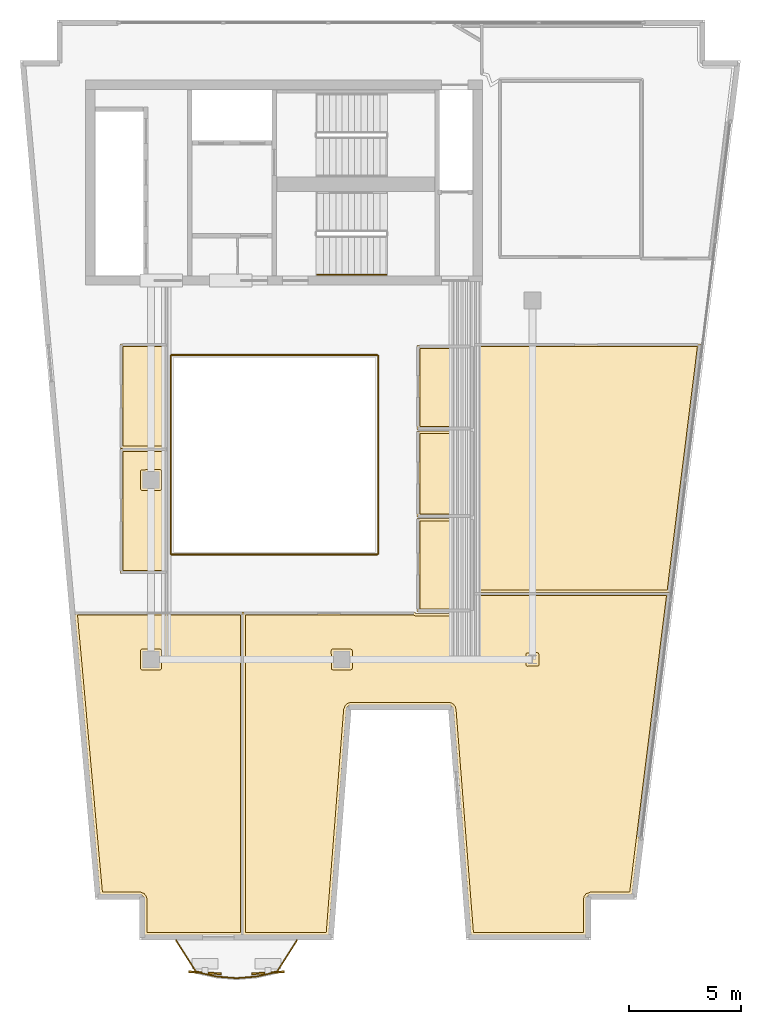
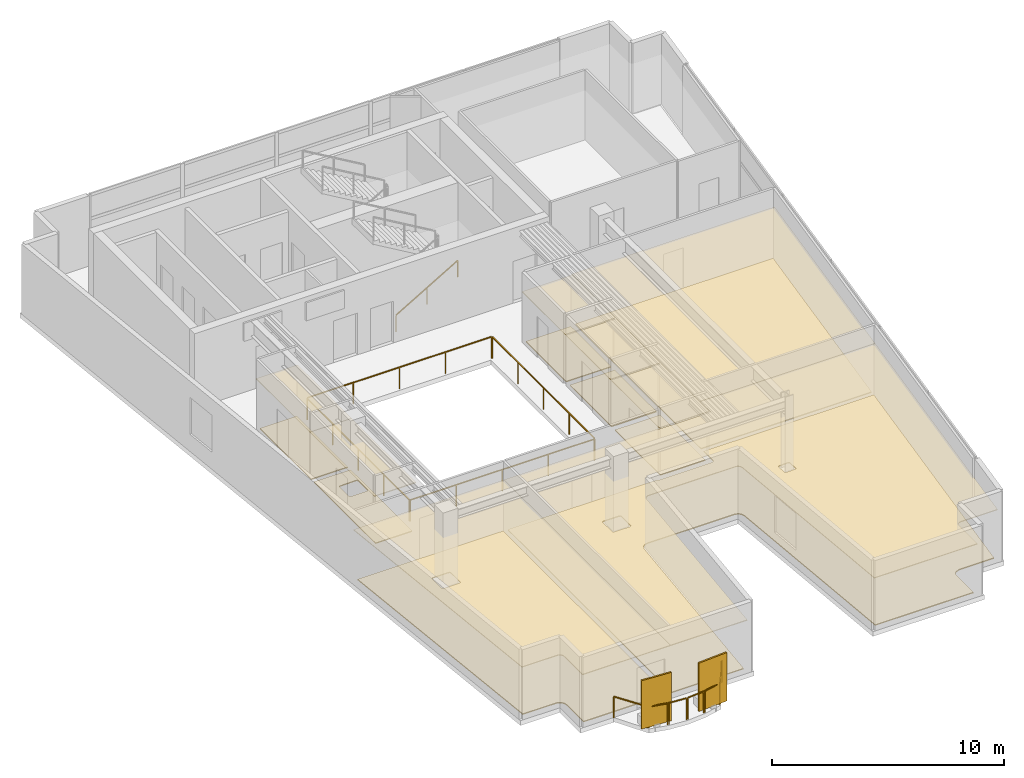
# One storey, part 6 of 7: 16 coverings, 11 railings, 2 shading devices.
"""IFC4 building model written with IfcOpenShell, lengths in metres."""

from ifc_helpers import new_model, si_unit, direction, frame, origin, origin_2d, place, context, subcontext, project, spatial, polyline, rectangle, outline, extrude, material, layer, layer_set, type_object, element, save


model = new_model("IFC4")

# Units and contexts
model_context = context("Model", 3, precision=1e-05, world=origin(), true_north=direction((0.0, 1.0)))
body_context = subcontext(model_context, "Body", "Model", "MODEL_VIEW")
ifc_project = project(units=[si_unit("LENGTHUNIT", "METRE"), si_unit("AREAUNIT", "SQUARE_METRE"), si_unit("VOLUMEUNIT", "CUBIC_METRE"), si_unit("PLANEANGLEUNIT", "RADIAN"), si_unit("MASSUNIT", "GRAM", prefix="KILO")], contexts=[model_context])

# Site, building, storey
site_placement = place(None, origin())
site = spatial("IfcSite", under=ifc_project, at=site_placement, CompositionType="ELEMENT")
building_placement = place(site_placement, origin())
building = spatial("IfcBuilding", under=site, at=building_placement, Name="Caeloran Harvest Quay", CompositionType="ELEMENT")
storey_placement = place(building_placement, frame((0.0, 0.0, 264.60009765625)))
storey = spatial("IfcBuildingStorey", under=building, at=storey_placement, Name="L63", CompositionType="ELEMENT", Elevation=264.60009765625)

# Coverings
ifc_material_1 = material(Name="Perforated Mineral-Fibre Acoustic Ceiling Tile", Category="ceiling")
ifc_layer_1 = layer(ifc_material_1, 0.0400390625, Name="Perforated Mineral-Fibre Acoustic Ceiling Tile")
ifc_layer_set_1 = layer_set([ifc_layer_1], Name="Perforated Mineral-Fibre Acoustic Ceiling Tile")
covering_type_1 = type_object("IfcCoveringType", Name="COV-CEILING-ACOUSTIC", PredefinedType="CEILING", material=ifc_layer_set_1)
covering_1_placement = place(storey_placement, frame((0.0, 0.0, 2.599853515625)))
element("IfcCovering", 1, at=covering_1_placement, inside=storey, type_object=covering_type_1, Name="L63 Male Washroom WC Acoustic Ceiling", PredefinedType="CEILING", context=body_context, shape_type="SweptSolid", body=[
    extrude(outline(polyline([(22.840087890625, 28.989990234375), (22.840087890625, 25.260009765625), (20.360107421875, 25.260009765625), (20.360107421875, 28.989990234375), (22.840087890625, 28.989990234375)])), origin(), (0.0, 0.0, 1.0), 0.0400390625),
])
covering_2_placement = place(storey_placement, frame((0.0, 0.0, 2.599853515625)))
element("IfcCovering", 2, at=covering_2_placement, inside=storey, type_object=covering_type_1, Name="L63 Female Washroom WC Acoustic Ceiling", PredefinedType="CEILING", context=body_context, shape_type="SweptSolid", body=[
    extrude(outline(polyline([(22.840087890625, 25.18994140625), (22.840087890625, 21.360107421875), (20.360107421875, 21.360107421875), (20.360107421875, 25.18994140625), (22.840087890625, 25.18994140625)])), origin(), (0.0, 0.0, 1.0), 0.0400390625),
])
covering_3_placement = place(storey_placement, frame((0.0, 0.0, 2.599853515625)))
element("IfcCovering", 3, at=covering_3_placement, inside=storey, type_object=covering_type_1, Name="L63 Accessible Unisex Washroom WC Acoustic Ceiling", PredefinedType="CEILING", context=body_context, shape_type="SweptSolid", body=[
    extrude(outline(polyline([(22.840087890625, 21.2900390625), (22.840087890625, 17.139892578125), (20.360107421875, 17.139892578125), (20.360107421875, 21.2900390625), (22.840087890625, 21.2900390625)])), origin(), (0.0, 0.0, 1.0), 0.0400390625),
])
covering_4_placement = place(storey_placement, frame((0.0, 0.0, 2.599853515625)))
element("IfcCovering", 4, at=covering_4_placement, inside=storey, type_object=covering_type_1, Name="Boutique Family-Office Chambers Acoustic Ceiling", PredefinedType="CEILING", context=body_context, shape_type="SweptSolid", body=[
    extrude(outline(polyline([(8.179443359375, 4.40380859375), (8.107666015625, 4.48291015625), (8.007080078125, 4.518798828125), (6.224853515625, 4.52001953125), (5.093017578125, 17.110107421875), (12.60009765625, 17.110107421875), (12.60009765625, 2.719970703125), (8.20556640625, 2.719970703125), (8.20556640625, 4.299072265625), (8.179443359375, 4.40380859375)])), origin(), (0.0, 0.0, 1.0), 0.0400390625),
])
covering_5_placement = place(storey_placement, frame((0.0, 0.0, 2.599853515625)))
element("IfcCovering", 5, at=covering_5_placement, inside=storey, type_object=covering_type_1, Name="Philanthropy Impact Office Acoustic Ceiling", PredefinedType="CEILING", context=body_context, shape_type="SweptSolid", body=[
    extrude(outline(polyline([(22.8701171875, 17.06005859375), (22.8701171875, 17.97998046875), (31.6103515625, 17.97998046875), (29.939453125, 4.52001953125), (28.111572265625, 4.52001953125), (28.046630859375, 4.510498046875), (27.970947265625, 4.469970703125), (27.9072265625, 4.38427734375), (27.890380859375, 4.299072265625), (27.890380859375, 2.719970703125), (22.75927734375, 2.719970703125), (21.97509765625, 12.76611328125), (21.951171875, 12.850830078125), (21.860595703125, 12.943359375), (21.754638671875, 12.969970703125), (17.402587890625, 12.968994140625), (17.339111328125, 12.95263671875), (17.267333984375, 12.90380859375), (17.219970703125, 12.830810546875), (17.205078125, 12.76611328125), (16.4208984375, 2.719970703125), (12.60009765625, 2.719970703125), (12.60009765625, 17.110107421875), (20.23828125, 17.110107421875), (20.2900390625, 17.0791015625), (20.2900390625, 17.06005859375), (22.8701171875, 17.06005859375)])), origin(), (0.0, 0.0, 1.0), 0.0400390625),
])
covering_6_placement = place(storey_placement, frame((0.0, 0.0, 2.599853515625)))
element("IfcCovering", 6, at=covering_6_placement, inside=storey, type_object=covering_type_1, Name="Quantitative Strategy Laboratory Acoustic Ceiling", PredefinedType="CEILING", context=body_context, shape_type="SweptSolid", body=[
    extrude(outline(polyline([(7.139892578125, 18.840087890625), (7.139892578125, 24.39990234375), (9.2099609375, 24.39990234375), (9.2099609375, 18.840087890625), (7.139892578125, 18.840087890625)])), origin(), (0.0, 0.0, 1.0), 0.0400390625),
])
covering_7_placement = place(storey_placement, frame((0.0, 0.0, 2.599853515625)))
element("IfcCovering", 7, at=covering_7_placement, inside=storey, type_object=covering_type_1, Name="Investment Committee Boardroom Acoustic Ceiling", PredefinedType="CEILING", context=body_context, shape_type="SweptSolid", body=[
    extrude(outline(polyline([(32.98583984375, 29.06005859375), (31.6103515625, 17.97998046875), (22.8701171875, 17.97998046875), (22.8701171875, 29.06005859375), (32.98583984375, 29.06005859375)])), origin(), (0.0, 0.0, 1.0), 0.0400390625),
])
covering_8_placement = place(storey_placement, frame((0.0, 0.0, 2.599853515625)))
element("IfcCovering", 8, at=covering_8_placement, inside=storey, type_object=covering_type_1, Name="Harbour Sky Salon Lounge Acoustic Ceiling", PredefinedType="CEILING", context=body_context, shape_type="SweptSolid", body=[
    extrude(outline(polyline([(7.139892578125, 24.39990234375), (7.139892578125, 29.06005859375), (9.2099609375, 29.06005859375), (9.2099609375, 24.39990234375), (7.139892578125, 24.39990234375)])), origin(), (0.0, 0.0, 1.0), 0.0400390625),
])
ifc_material_2 = material(Name="Calcium-Sulphate Raised Access Floor and Terrazzo Finish", Category="flooring")
ifc_layer_2 = layer(ifc_material_2, 0.050048828125, Name="Calcium-Sulphate Raised Access Floor and Terrazzo Finish")
ifc_layer_set_2 = layer_set([ifc_layer_2], Name="Calcium-Sulphate Raised Access Floor and Terrazzo Finish")
covering_type_2 = type_object("IfcCoveringType", Name="COV-FLOOR-RAISED", PredefinedType="FLOORING", material=ifc_layer_set_2)
covering_9_placement = place(storey_placement, origin())
element("IfcCovering", 9, at=covering_9_placement, inside=storey, type_object=covering_type_2, Name="L63 Male Washroom WC Raised Finish Flooring", PredefinedType="FLOORING", context=body_context, shape_type="SweptSolid", body=[
    extrude(outline(polyline([(22.719970703125, 28.8701171875), (22.719970703125, 25.3798828125), (20.47998046875, 25.3798828125), (20.47998046875, 28.8701171875), (22.719970703125, 28.8701171875)])), origin(), (0.0, 0.0, 1.0), 0.0498046875),
])
covering_10_placement = place(storey_placement, origin())
element("IfcCovering", 10, at=covering_10_placement, inside=storey, type_object=covering_type_2, Name="L63 Female Washroom WC Raised Finish Flooring", PredefinedType="FLOORING", context=body_context, shape_type="SweptSolid", body=[
    extrude(outline(polyline([(22.719970703125, 25.070068359375), (22.719970703125, 21.47998046875), (20.47998046875, 21.47998046875), (20.47998046875, 25.070068359375), (22.719970703125, 25.070068359375)])), origin(), (0.0, 0.0, 1.0), 0.0498046875),
])
covering_11_placement = place(storey_placement, origin())
element("IfcCovering", 11, at=covering_11_placement, inside=storey, type_object=covering_type_2, Name="L63 Accessible Unisex Washroom WC Raised Finish Flooring", PredefinedType="FLOORING", context=body_context, shape_type="SweptSolid", body=[
    extrude(outline(polyline([(22.719970703125, 21.169921875), (22.719970703125, 17.260009765625), (20.47998046875, 17.260009765625), (20.47998046875, 21.169921875), (22.719970703125, 21.169921875)])), origin(), (0.0, 0.0, 1.0), 0.0498046875),
])
covering_12_placement = place(storey_placement, origin())
element("IfcCovering", 12, at=covering_12_placement, inside=storey, type_object=covering_type_2, Name="Boutique Family-Office Chambers Raised Finish Flooring", PredefinedType="FLOORING", context=body_context, shape_type="SweptSolid", body=[
    extrude(outline(polyline([(8.301025390625, 4.426513671875), (8.197998046875, 4.565185546875), (8.022705078125, 4.637939453125), (6.33447265625, 4.639892578125), (5.224365234375, 16.989990234375), (12.47998046875, 16.989990234375), (12.47998046875, 2.840087890625), (8.325439453125, 2.840087890625), (8.325439453125, 4.300048828125), (8.301025390625, 4.426513671875)]), holes=[polyline([(8.030029296875, 14.610107421875), (8.053466796875, 14.553466796875), (8.102294921875, 14.530517578125), (8.889892578125, 14.530029296875), (8.946533203125, 14.553466796875), (8.969970703125, 14.610107421875), (8.969970703125, 15.389892578125), (8.946533203125, 15.446533203125), (8.889892578125, 15.469970703125), (8.110107421875, 15.469970703125), (8.053466796875, 15.446533203125), (8.030029296875, 15.389892578125), (8.030029296875, 14.610107421875)])]), origin(), (0.0, 0.0, 1.0), 0.0498046875),
])
covering_13_placement = place(storey_placement, origin())
element("IfcCovering", 13, at=covering_13_placement, inside=storey, type_object=covering_type_2, Name="Philanthropy Impact Office Raised Finish Flooring", PredefinedType="FLOORING", context=body_context, shape_type="SweptSolid", body=[
    extrude(outline(polyline([(20.18798828125, 16.989990234375), (20.280029296875, 16.93994140625), (22.915771484375, 16.946044921875), (22.98974609375, 17.043212890625), (22.989990234375, 17.860107421875), (31.474609375, 17.860107421875), (29.83349609375, 4.639892578125), (28.106689453125, 4.639892578125), (27.891845703125, 4.560302734375), (27.808837890625, 4.456787109375), (27.771728515625, 4.329345703125), (27.7705078125, 2.840087890625), (22.8701171875, 2.840087890625), (22.09423828125, 12.780517578125), (22.0595703125, 12.902099609375), (21.976806640625, 13.008056640625), (21.8837890625, 13.06494140625), (21.755615234375, 13.090087890625), (17.42041015625, 13.08984375), (17.2890625, 13.061767578125), (17.16162109375, 12.965576171875), (17.08544921875, 12.776611328125), (16.31005859375, 2.840087890625), (12.719970703125, 2.840087890625), (12.719970703125, 16.989990234375), (20.18798828125, 16.989990234375)]), holes=[polyline([(25.202392578125, 15.230712890625), (25.22021484375, 14.726318359375), (25.274169921875, 14.697509765625), (25.768798828125, 14.715087890625), (25.798095703125, 14.777099609375), (25.77978515625, 15.273681640625), (25.718017578125, 15.302978515625), (25.231201171875, 15.284912109375), (25.202392578125, 15.230712890625)]), polyline([(16.530029296875, 15.389892578125), (16.548095703125, 14.55908203125), (16.602294921875, 14.530517578125), (17.389892578125, 14.530029296875), (17.446533203125, 14.553466796875), (17.469970703125, 14.610107421875), (17.469970703125, 15.389892578125), (17.446533203125, 15.446533203125), (17.389892578125, 15.469970703125), (16.610107421875, 15.469970703125), (16.553466796875, 15.446533203125), (16.530029296875, 15.389892578125)])]), origin(), (0.0, 0.0, 1.0), 0.0498046875),
])
covering_14_placement = place(storey_placement, origin())
element("IfcCovering", 14, at=covering_14_placement, inside=storey, type_object=covering_type_2, Name="Quantitative Strategy Laboratory Raised Finish Flooring", PredefinedType="FLOORING", context=body_context, shape_type="SweptSolid", body=[
    extrude(outline(polyline([(9.090087890625, 18.9599609375), (7.260009765625, 18.9599609375), (7.260009765625, 24.280029296875), (9.090087890625, 24.280029296875), (9.090087890625, 18.9599609375)]), holes=[polyline([(8.889892578125, 23.469970703125), (8.05908203125, 23.451904296875), (8.030517578125, 23.397705078125), (8.030029296875, 22.610107421875), (8.053466796875, 22.553466796875), (8.110107421875, 22.530029296875), (8.889892578125, 22.530029296875), (8.946533203125, 22.553466796875), (8.969970703125, 22.610107421875), (8.969970703125, 23.389892578125), (8.946533203125, 23.446533203125), (8.889892578125, 23.469970703125)])]), origin(), (0.0, 0.0, 1.0), 0.0498046875),
])
covering_15_placement = place(storey_placement, origin())
element("IfcCovering", 15, at=covering_15_placement, inside=storey, type_object=covering_type_2, Name="Investment Committee Boardroom Raised Finish Flooring", PredefinedType="FLOORING", context=body_context, shape_type="SweptSolid", body=[
    extrude(outline(polyline([(32.85009765625, 28.93994140625), (31.50439453125, 18.10009765625), (22.989990234375, 18.10009765625), (22.989990234375, 28.93994140625), (32.85009765625, 28.93994140625)])), origin(), (0.0, 0.0, 1.0), 0.0498046875),
])
covering_16_placement = place(storey_placement, origin())
element("IfcCovering", 16, at=covering_16_placement, inside=storey, type_object=covering_type_2, Name="Harbour Sky Salon Lounge Raised Finish Flooring", PredefinedType="FLOORING", context=body_context, shape_type="SweptSolid", body=[
    extrude(outline(polyline([(7.260009765625, 24.52001953125), (7.260009765625, 28.93994140625), (9.090087890625, 28.93994140625), (9.090087890625, 24.52001953125), (7.260009765625, 24.52001953125)])), origin(), (0.0, 0.0, 1.0), 0.0498046875),
])

# Railings
ifc_material_3 = material(Name="Powder-Coated Steel Post and Laminated Glass Guardrail", Category="steel")
ifc_layer_3 = layer(ifc_material_3, 0.06005859375, Name="Powder-Coated Steel Post and Laminated Glass Guardrail")
ifc_layer_set_3 = layer_set([ifc_layer_3], Name="Powder-Coated Steel Post and Laminated Glass Guardrail")
railing_type_1 = type_object("IfcRailingType", Name="GUARD-ATRIUM-1150", PredefinedType="GUARDRAIL", material=ifc_layer_set_3)
railing_1_placement = place(storey_placement, frame((9.412109375, 19.679931640625, 0.0)))
element("IfcRailing", 17, at=railing_1_placement, inside=storey, type_object=railing_type_1, Name="L63 Skylit Atrium Void Perimeter Guardrail Seg 1", PredefinedType="GUARDRAIL", context=body_context, shape_type="SweptSolid", body=[
    extrude(rectangle(XDim=0.048095703125, YDim=0.048095703125, at=origin_2d()), frame((0.0, 0.0, 1.1259765625), z_axis=(1.0, 0.0, 0.0), x_axis=(0.0, 1.0, 0.0)), (0.0, 0.0, 1.0), 9.17578125),
    extrude(rectangle(XDim=0.0419921875, YDim=0.0419921875, at=origin_2d()), origin(), (0.0, 0.0, 1.0), 1.101806640625),
    extrude(rectangle(XDim=0.0419921875, YDim=0.0419921875, at=origin_2d()), frame((2.2939453125, 0.0, 0.0)), (0.0, 0.0, 1.0), 1.101806640625),
    extrude(rectangle(XDim=0.0419921875, YDim=0.0419921875, at=origin_2d()), frame((4.587890625, 0.0, 0.0)), (0.0, 0.0, 1.0), 1.101806640625),
    extrude(rectangle(XDim=0.0419921875, YDim=0.0419921875, at=origin_2d()), frame((6.8818359375, 0.0, 0.0)), (0.0, 0.0, 1.0), 1.101806640625),
    extrude(rectangle(XDim=0.0419921875, YDim=0.0419921875, at=origin_2d()), frame((9.17578125, 0.0, 0.0)), (0.0, 0.0, 1.0), 1.101806640625),
])
railing_2_placement = place(storey_placement, frame((18.6201171875, 19.7119140625, 0.0)))
element("IfcRailing", 18, at=railing_2_placement, inside=storey, type_object=railing_type_1, Name="L63 Skylit Atrium Void Perimeter Guardrail Seg 2", PredefinedType="GUARDRAIL", context=body_context, shape_type="SweptSolid", body=[
    extrude(rectangle(XDim=0.048095703125, YDim=0.048095703125, at=origin_2d()), frame((0.0, 0.0, 1.1259765625), z_axis=(0.0, 1.0, 0.0), x_axis=(-1.0, 0.0, 0.0)), (0.0, 0.0, 1.0), 8.826171875),
    extrude(rectangle(XDim=0.0419921875, YDim=0.0419921875, at=origin_2d()), origin(), (0.0, 0.0, 1.0), 1.101806640625),
    extrude(rectangle(XDim=0.0419921875, YDim=0.0419921875, at=origin_2d()), frame((0.0, 2.20654296875, 0.0)), (0.0, 0.0, 1.0), 1.101806640625),
    extrude(rectangle(XDim=0.0419921875, YDim=0.0419921875, at=origin_2d()), frame((0.0, 4.4130859375, 0.0)), (0.0, 0.0, 1.0), 1.101806640625),
    extrude(rectangle(XDim=0.0419921875, YDim=0.0419921875, at=origin_2d()), frame((0.0, 6.61962890625, 0.0)), (0.0, 0.0, 1.0), 1.101806640625),
    extrude(rectangle(XDim=0.0419921875, YDim=0.0419921875, at=origin_2d()), frame((0.0, 8.826171875, 0.0)), (0.0, 0.0, 1.0), 1.101806640625),
])
railing_3_placement = place(storey_placement, frame((18.587890625, 28.570068359375, 0.0)))
element("IfcRailing", 19, at=railing_3_placement, inside=storey, type_object=railing_type_1, Name="L63 Skylit Atrium Void Perimeter Guardrail Seg 3", PredefinedType="GUARDRAIL", context=body_context, shape_type="SweptSolid", body=[
    extrude(rectangle(XDim=0.048095703125, YDim=0.048095703125, at=origin_2d()), frame((0.0, 0.0, 1.1259765625), z_axis=(-1.0, 0.0, 0.0), x_axis=(0.0, -1.0, 0.0)), (0.0, 0.0, 1.0), 9.17578125),
    extrude(rectangle(XDim=0.0419921875, YDim=0.0419921875, at=origin_2d()), origin(), (0.0, 0.0, 1.0), 1.101806640625),
    extrude(rectangle(XDim=0.0419921875, YDim=0.0419921875, at=origin_2d()), frame((-2.2939453125, 0.0, 0.0)), (0.0, 0.0, 1.0), 1.101806640625),
    extrude(rectangle(XDim=0.0419921875, YDim=0.0419921875, at=origin_2d()), frame((-4.587890625, 0.0, 0.0)), (0.0, 0.0, 1.0), 1.101806640625),
    extrude(rectangle(XDim=0.0419921875, YDim=0.0419921875, at=origin_2d()), frame((-6.8818359375, 0.0, 0.0)), (0.0, 0.0, 1.0), 1.101806640625),
    extrude(rectangle(XDim=0.0419921875, YDim=0.0419921875, at=origin_2d()), frame((-9.17578125, 0.0, 0.0)), (0.0, 0.0, 1.0), 1.101806640625),
])
railing_4_placement = place(storey_placement, frame((9.3798828125, 28.5380859375, 0.0)))
element("IfcRailing", 20, at=railing_4_placement, inside=storey, type_object=railing_type_1, Name="L63 Skylit Atrium Void Perimeter Guardrail Seg 4", PredefinedType="GUARDRAIL", context=body_context, shape_type="SweptSolid", body=[
    extrude(rectangle(XDim=0.048095703125, YDim=0.048095703125, at=origin_2d()), frame((0.0, 0.0, 1.1259765625), z_axis=(0.0, -1.0, 0.0), x_axis=(1.0, 0.0, 0.0)), (0.0, 0.0, 1.0), 8.826171875),
    extrude(rectangle(XDim=0.0419921875, YDim=0.0419921875, at=origin_2d()), origin(), (0.0, 0.0, 1.0), 1.101806640625),
    extrude(rectangle(XDim=0.0419921875, YDim=0.0419921875, at=origin_2d()), frame((0.0, -2.20654296875, 0.0)), (0.0, 0.0, 1.0), 1.101806640625),
    extrude(rectangle(XDim=0.0419921875, YDim=0.0419921875, at=origin_2d()), frame((0.0, -4.4130859375, 0.0)), (0.0, 0.0, 1.0), 1.101806640625),
    extrude(rectangle(XDim=0.0419921875, YDim=0.0419921875, at=origin_2d()), frame((0.0, -6.61962890625, 0.0)), (0.0, 0.0, 1.0), 1.101806640625),
    extrude(rectangle(XDim=0.0419921875, YDim=0.0419921875, at=origin_2d()), frame((0.0, -8.826171875, 0.0)), (0.0, 0.0, 1.0), 1.101806640625),
])
ifc_material_4 = material(Name="Laminated Safety Glass and Stainless Steel 316", Category="steel")
ifc_layer_4 = layer(ifc_material_4, 0.06005859375, Name="Laminated Safety Glass and Stainless Steel 316")
ifc_layer_set_4 = layer_set([ifc_layer_4], Name="Laminated Safety Glass and Stainless Steel 316")
railing_type_2 = type_object("IfcRailingType", Name="GUARD-BALUSTRADE-1150", PredefinedType="BALUSTRADE", material=ifc_layer_set_4)
railing_5_placement = place(storey_placement, frame((15.00048828125, 2.47998046875, 0.0)))
element("IfcRailing", 21, at=railing_5_placement, inside=storey, type_object=railing_type_2, Name="L63 Planted Balcony Perimeter Balustrade Guard Seg 1", PredefinedType="BALUSTRADE", context=body_context, shape_type="SweptSolid", body=[
    extrude(rectangle(XDim=0.048095703125, YDim=0.048095703125, at=origin_2d()), frame((0.0, 0.0, 1.1259765625), z_axis=(-0.537579876102, -0.843212830079, 0.0), x_axis=(0.843212830079, -0.537579876102, 0.0)), (0.0, 0.0, 1.0), 1.63671875),
    extrude(rectangle(XDim=0.0419921875, YDim=0.0419921875, at=origin_2d()), origin(), (0.0, 0.0, 1.0), 1.101806640625),
    extrude(rectangle(XDim=0.0419921875, YDim=0.0419921875, at=origin_2d()), frame((-0.8798828125, -1.380126953125, 0.0)), (0.0, 0.0, 1.0), 1.101806640625),
])
railing_6_placement = place(storey_placement, frame((14.072265625, 1.065673828125, 0.0)))
element("IfcRailing", 22, at=railing_6_placement, inside=storey, type_object=railing_type_2, Name="L63 Planted Balcony Perimeter Balustrade Guard Seg 2", PredefinedType="BALUSTRADE", context=body_context, shape_type="SweptSolid", body=[
    extrude(rectangle(XDim=0.048095703125, YDim=0.048095703125, at=origin_2d()), frame((0.0, 0.0, 1.1259765625), z_axis=(-0.975367771213, -0.220584928949, 0.0), x_axis=(0.220584928949, -0.975367771213, 0.0)), (0.0, 0.0, 1.0), 0.85546875),
    extrude(rectangle(XDim=0.0419921875, YDim=0.0419921875, at=origin_2d()), origin(), (0.0, 0.0, 1.0), 1.101806640625),
    extrude(rectangle(XDim=0.0419921875, YDim=0.0419921875, at=origin_2d()), frame((-0.83447265625, -0.188720703125, 0.0)), (0.0, 0.0, 1.0), 1.101806640625),
])
railing_7_placement = place(storey_placement, frame((13.174560546875, 0.8671875, 0.0)))
element("IfcRailing", 23, at=railing_7_placement, inside=storey, type_object=railing_type_2, Name="L63 Planted Balcony Perimeter Balustrade Guard Seg 3", PredefinedType="BALUSTRADE", context=body_context, shape_type="SweptSolid", body=[
    extrude(rectangle(XDim=0.048095703125, YDim=0.048095703125, at=origin_2d()), frame((0.0, 0.0, 1.1259765625), z_axis=(-0.996603912293, -0.082344653755, 0.0), x_axis=(0.082344653755, -0.996603912293, 0.0)), (0.0, 0.0, 1.0), 0.836181640625),
    extrude(rectangle(XDim=0.0419921875, YDim=0.0419921875, at=origin_2d()), origin(), (0.0, 0.0, 1.0), 1.101806640625),
    extrude(rectangle(XDim=0.0419921875, YDim=0.0419921875, at=origin_2d()), frame((-0.833251953125, -0.06884765625, 0.0)), (0.0, 0.0, 1.0), 1.101806640625),
])
railing_8_placement = place(storey_placement, frame((12.277587890625, 0.79833984375, 0.0)))
element("IfcRailing", 24, at=railing_8_placement, inside=storey, type_object=railing_type_2, Name="L63 Planted Balcony Perimeter Balustrade Guard Seg 4", PredefinedType="BALUSTRADE", context=body_context, shape_type="SweptSolid", body=[
    extrude(rectangle(XDim=0.048095703125, YDim=0.048095703125, at=origin_2d()), frame((0.0, 0.0, 1.1259765625), z_axis=(-0.996603912293, 0.082344653755, 0.0), x_axis=(-0.082344653755, -0.996603912293, 0.0)), (0.0, 0.0, 1.0), 0.836181640625),
    extrude(rectangle(XDim=0.0419921875, YDim=0.0419921875, at=origin_2d()), origin(), (0.0, 0.0, 1.0), 1.101806640625),
    extrude(rectangle(XDim=0.0419921875, YDim=0.0419921875, at=origin_2d()), frame((-0.833251953125, 0.06884765625, 0.0)), (0.0, 0.0, 1.0), 1.101806640625),
])
railing_9_placement = place(storey_placement, frame((11.38134765625, 0.876953125, 0.0)))
element("IfcRailing", 25, at=railing_9_placement, inside=storey, type_object=railing_type_2, Name="L63 Planted Balcony Perimeter Balustrade Guard Seg 5", PredefinedType="BALUSTRADE", context=body_context, shape_type="SweptSolid", body=[
    extrude(rectangle(XDim=0.048095703125, YDim=0.048095703125, at=origin_2d()), frame((0.0, 0.0, 1.1259765625), z_axis=(-0.975381650486, 0.220523549525, 0.0), x_axis=(-0.220523549525, -0.975381650486, 0.0)), (0.0, 0.0, 1.0), 0.855712890625),
    extrude(rectangle(XDim=0.0419921875, YDim=0.0419921875, at=origin_2d()), origin(), (0.0, 0.0, 1.0), 1.101806640625),
    extrude(rectangle(XDim=0.0419921875, YDim=0.0419921875, at=origin_2d()), frame((-0.834716796875, 0.188720703125, 0.0)), (0.0, 0.0, 1.0), 1.101806640625),
])
railing_10_placement = place(storey_placement, frame((10.498291015625, 1.099853515625, 0.0)))
element("IfcRailing", 26, at=railing_10_placement, inside=storey, type_object=railing_type_2, Name="L63 Planted Balcony Perimeter Balustrade Guard Seg 6", PredefinedType="BALUSTRADE", context=body_context, shape_type="SweptSolid", body=[
    extrude(rectangle(XDim=0.048095703125, YDim=0.048095703125, at=origin_2d()), frame((0.0, 0.0, 1.1259765625), z_axis=(-0.537579876102, 0.843212830079, 0.0), x_axis=(-0.843212830079, -0.537579876102, 0.0)), (0.0, 0.0, 1.0), 1.63671875),
    extrude(rectangle(XDim=0.0419921875, YDim=0.0419921875, at=origin_2d()), origin(), (0.0, 0.0, 1.0), 1.101806640625),
    extrude(rectangle(XDim=0.0419921875, YDim=0.0419921875, at=origin_2d()), frame((-0.8798828125, 1.380126953125, 0.0)), (0.0, 0.0, 1.0), 1.101806640625),
])

# Shading devices
ifc_material_5 = material(Name="3003-H14 Perforated Powder-Coated Aluminium", Category="aluminium")
shading_device_type = type_object("IfcShadingDeviceType", Name="SHADE-SCREEN-FOLDED", PredefinedType="USERDEFINED", material=ifc_material_5)
for number, where, z_axis, x_axis, name in (
    (27, (13.708740234375, 1.03662109375, 0.07470703125), (0.0, 0.0, 1.0), (0.997801468292, 0.0662739004, 0.0), "L63 Folded Facade Breathing Screen 1"),
    (28, (10.91015625, 1.03662109375, 0.07470703125), (0.0, 0.0, 1.0), (0.997801468292, -0.0662739004, 0.0), "L63 Folded Facade Breathing Screen 2"),
):
    element("IfcShadingDevice", number, at=place(storey_placement, frame(where, z_axis=z_axis, x_axis=x_axis)), inside=storey, type_object=shading_device_type, Name=name, ObjectType="SCREEN", PredefinedType="USERDEFINED", context=body_context, shape_type="SweptSolid", body=[
        extrude(rectangle(XDim=1.449951171875, YDim=0.080078125, at=origin_2d()), origin(), (0.0, 0.0, 1.0), 2.550048828125),
    ])

# Railing
ifc_material_6 = material(Name="Brushed Stainless Steel Grade 304", Category="steel")
ifc_layer_5 = layer(ifc_material_6, 0.050048828125, Name="Brushed Stainless Steel Grade 304")
ifc_layer_set_5 = layer_set([ifc_layer_5], Name="Brushed Stainless Steel Grade 304")
railing_type_3 = type_object("IfcRailingType", Name="STAIR-HANDRAIL-900", PredefinedType="HANDRAIL", material=ifc_layer_set_5)
railing_11_placement = place(storey_placement, frame((15.89990234375, 32.14990234375, 0.16455078125)))
element("IfcRailing", 29, at=railing_11_placement, inside=storey, type_object=railing_type_3, Name="L63 ST-C2 stair handrail 1", PredefinedType="HANDRAIL", context=body_context, shape_type="SweptSolid", body=[
    extrude(rectangle(XDim=0.048095703125, YDim=0.048095703125, at=origin_2d()), frame((0.0, 0.0, 0.8759765625), z_axis=(0.862118610829, 0.0, 0.506706523406), x_axis=(0.0, 1.0, 0.0)), (0.0, 0.0, 1.0), 3.57275390625),
    extrude(rectangle(XDim=0.0419921875, YDim=0.0419921875, at=origin_2d()), origin(), (0.0, 0.0, 1.0), 0.851806640625),
    extrude(rectangle(XDim=0.0419921875, YDim=0.0419921875, at=origin_2d()), frame((1.5400390625, 0.0, 0.9052734375)), (0.0, 0.0, 1.0), 0.851806640625),
    extrude(rectangle(XDim=0.0419921875, YDim=0.0419921875, at=origin_2d()), frame((3.080078125, 0.0, 1.810302734375)), (0.0, 0.0, 1.0), 0.851806640625),
])

save(model, "model.ifc")
